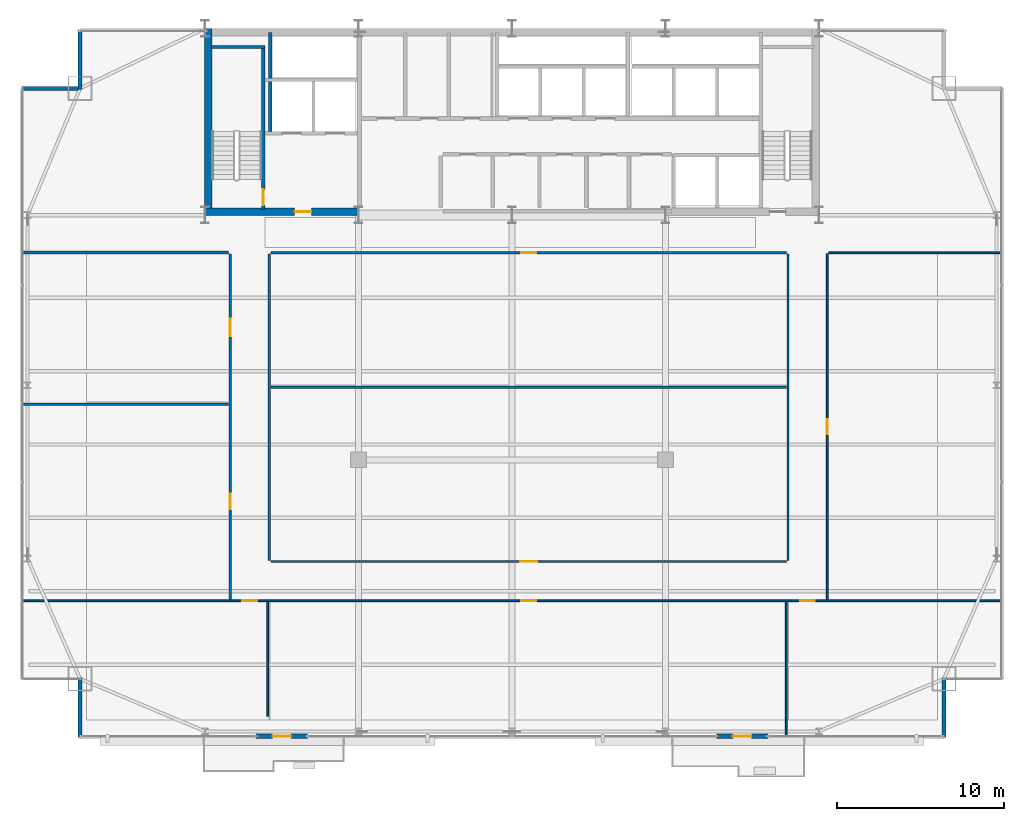
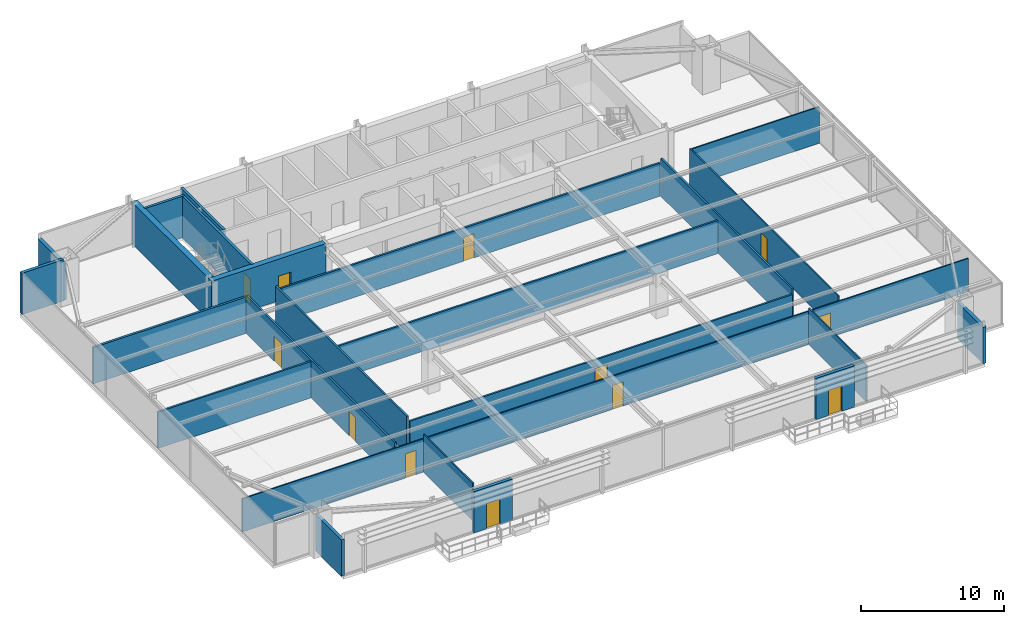
# One storey, part 32 of 36: 24 walls, 12 doors, 12 openings.
"""IFC4 building model written with IfcOpenShell, lengths in metres."""

import ifcopenshell
import ifcopenshell.guid

model = None  # the IFC model being written
_history = None  # IfcOwnerHistory: only IFC2X3 demands one
_inside = {}  # id of a spatial element -> (the spatial element, [elements in it])
_under = {}  # id of a project, library or spatial element -> (it, [spatial elements below it])
_declared = {}  # id of a project -> (the project, [libraries it declares])
_typed = {}  # id of a type object -> (the type object, [elements of that type])
_made_of = {}  # id of a material, layer set ... -> (it, [elements and type objects made of it])


def new_model(schema):
    """Start an empty IFC model of exactly this schema.

    Asked for "IFC4X3", IfcOpenShell would pick the latest addendum, in which some entities
    have other attributes; the version numbers below select the first issue.
    IFC2X3 requires an IfcOwnerHistory on every rooted entity: one is made here for all.
    """
    global model, _history
    if schema == "IFC4X3":
        model = ifcopenshell.file(schema_version=(4, 3, 0, 0))
    else:
        model = ifcopenshell.file(schema=schema)
    _inside.clear()
    _under.clear()
    _declared.clear()
    _typed.clear()
    _made_of.clear()
    _history = None
    if model.schema == "IFC2X3":
        org = make("IfcOrganization", Name="unknown")
        user = make(
            "IfcPersonAndOrganization",
            ThePerson=make("IfcPerson", FamilyName="unknown"),
            TheOrganization=org,
        )
        app = make(
            "IfcApplication",
            ApplicationDeveloper=org,
            Version="unknown",
            ApplicationFullName="unknown",
            ApplicationIdentifier="unknown",
        )
        _history = make(
            "IfcOwnerHistory",
            OwningUser=user,
            OwningApplication=app,
            ChangeAction="ADDED",
            CreationDate=0,
        )
    return model


def make(cls, **values):
    """One entity of the class cls with the attributes given. An attribute that is None is left unset."""
    return model.create_entity(
        cls, **{name: value for name, value in values.items() if value is not None}
    )


def rooted(cls, **values):
    """An entity with a GlobalId (a new one), such as an element, a storey or a relation."""
    return make(cls, GlobalId=ifcopenshell.guid.new(), OwnerHistory=_history, **values)


def si_unit(unit_type, name, prefix=None):
    """IfcSIUnit, for example si_unit("LENGTHUNIT", "METRE", prefix="MILLI")."""
    return make("IfcSIUnit", UnitType=unit_type, Prefix=prefix, Name=name)


def assignment(units):
    """IfcUnitAssignment: the units of a project."""
    return None if units is None else make("IfcUnitAssignment", Units=units)


def point(xyz):
    """IfcCartesianPoint."""
    return None if xyz is None else make("IfcCartesianPoint", Coordinates=xyz)


def direction(xyz):
    """IfcDirection."""
    return None if xyz is None else make("IfcDirection", DirectionRatios=xyz)


def frame(location, z_axis=None, x_axis=None):
    """IfcAxis2Placement3D, a coordinate frame: its origin and axes. An axis left out is left unset."""
    return make(
        "IfcAxis2Placement3D",
        Location=point(location),
        Axis=direction(z_axis),
        RefDirection=direction(x_axis),
    )


def frame_2d(location, x_axis=None):
    """IfcAxis2Placement2D, a coordinate frame in the plane: its origin and x axis."""
    return make(
        "IfcAxis2Placement2D", Location=point(location), RefDirection=direction(x_axis)
    )


def origin():
    """The frame at (0, 0, 0) with its axes left unset."""
    return frame((0.0, 0.0, 0.0))


def place(relative_to, where):
    """IfcLocalPlacement: puts the frame where relative to a parent placement (None: the world)."""
    return make(
        "IfcLocalPlacement", PlacementRelTo=relative_to, RelativePlacement=where
    )


def context(
    kind, dimensions, precision=None, world=None, true_north=None, identifier=None
):
    """IfcGeometricRepresentationContext, for example the 3D "Model" context."""
    return make(
        "IfcGeometricRepresentationContext",
        ContextIdentifier=identifier,
        ContextType=kind,
        CoordinateSpaceDimension=dimensions,
        Precision=precision,
        WorldCoordinateSystem=world,
        TrueNorth=true_north,
    )


def subcontext(parent, identifier, kind, view, scale=None):
    """IfcGeometricRepresentationSubContext, for example "Body" below "Model"."""
    return make(
        "IfcGeometricRepresentationSubContext",
        ContextIdentifier=identifier,
        ContextType=kind,
        ParentContext=parent,
        TargetScale=scale,
        TargetView=view,
    )


def project(units=None, contexts=None):
    """IfcProject with its units and contexts."""
    return rooted(
        "IfcProject",
        Name="project",
        RepresentationContexts=contexts,
        UnitsInContext=assignment(units),
    )


def spatial(cls, under=None, at=None, **own):
    """A site, building, storey or space (cls), placed at a placement, below another one or the project."""
    s = rooted(cls, ObjectPlacement=at, **own)
    if under is not None:
        _under.setdefault(under.id(), (under, []))[1].append(s)
    return s


def profile(cls, at=None, kind="AREA", **sizes):
    """A parametric profile (cls). Its sizes go by their IFC names, for example OverallWidth=200.0."""
    return make(cls, ProfileType=kind, Position=at, **sizes)


def rectangle(**sizes):
    """IfcRectangleProfileDef."""
    return profile("IfcRectangleProfileDef", **sizes)


def extrude(swept, where, along, depth):
    """IfcExtrudedAreaSolid: the profile swept, set in the frame where, extruded along a direction by depth."""
    return make(
        "IfcExtrudedAreaSolid",
        SweptArea=swept,
        Position=where,
        ExtrudedDirection=direction(along),
        Depth=depth,
    )


def shape(context_of_items, identifier, shape_type, items):
    """IfcShapeRepresentation: the items that make up one representation, for example the "Body"."""
    return make(
        "IfcShapeRepresentation",
        ContextOfItems=context_of_items,
        RepresentationIdentifier=identifier,
        RepresentationType=shape_type,
        Items=items,
    )


def source(mapping_origin, context_of_items, identifier, shape_type, items):
    """IfcRepresentationMap: a shape defined once, which mapped items show again and again."""
    return make(
        "IfcRepresentationMap",
        MappingOrigin=mapping_origin,
        MappedRepresentation=shape(context_of_items, identifier, shape_type, items),
    )


def transform(
    local_origin,
    x_axis=None,
    y_axis=None,
    z_axis=None,
    scale=None,
    scale2=None,
    scale3=None,
    uniform=True,
):
    """IfcCartesianTransformationOperator3D, or its non-uniform kind. x_axis, y_axis, z_axis: its Axis1, 2, 3."""
    if uniform:
        return make(
            "IfcCartesianTransformationOperator3D",
            Axis1=direction(x_axis),
            Axis2=direction(y_axis),
            LocalOrigin=point(local_origin),
            Scale=scale,
            Axis3=direction(z_axis),
        )
    return make(
        "IfcCartesianTransformationOperator3DnonUniform",
        Axis1=direction(x_axis),
        Axis2=direction(y_axis),
        LocalOrigin=point(local_origin),
        Scale=scale,
        Axis3=direction(z_axis),
        Scale2=scale2,
        Scale3=scale3,
    )


def mapped(mapping_source, mapping_target):
    """IfcMappedItem: shows the shape of a source again, moved by a transform."""
    return make(
        "IfcMappedItem", MappingSource=mapping_source, MappingTarget=mapping_target
    )


def material(Name=None, Category=None):
    """IfcMaterial."""
    return make("IfcMaterial", Name=Name, Category=Category)


def layer(
    of_material, thickness, ventilated=None, Name=None, Category=None, Priority=None
):
    """IfcMaterialLayer: one layer of a wall or slab, of a material (None: an air gap)."""
    return make(
        "IfcMaterialLayer",
        Material=of_material,
        LayerThickness=thickness,
        IsVentilated=ventilated,
        Name=Name,
        Category=Category,
        Priority=Priority,
    )


def layer_set(layers, Name=None):
    """IfcMaterialLayerSet."""
    return make("IfcMaterialLayerSet", MaterialLayers=layers, LayerSetName=Name)


def made_of(thing, what):
    """Note that an element or type object is made of a material, layer set ...; save() writes the relation."""
    if what is not None:
        _made_of.setdefault(what.id(), (what, []))[1].append(thing)
    return thing


def type_object(cls, material=None, **own):
    """A type object (cls), such as IfcWallType, which elements share."""
    return made_of(rooted(cls, **own), material)


def type_shapes(of_type, sources):
    """Give a type object the sources (RepresentationMaps) that its elements show as mapped items."""
    of_type.RepresentationMaps = sources


def element(
    cls,
    number,
    at=None,
    inside=None,
    cuts=None,
    type_object=None,
    material=None,
    context=None,
    identifier="Body",
    shape_type=None,
    held_by="IfcProductDefinitionShape",
    body=None,
    shapes=None,
    **own,
):
    """One element of the class cls, such as IfcWall. Its Tag is "e" and its number.

    at: its placement. inside: the storey or other place that contains it. cuts: it is an
    opening in that element (IfcRelVoidsElement). A single representation is given by context,
    identifier, shape_type and body (its items); several are given by shapes. held_by: the class
    of the entity that holds the representations. save() writes the other relations.
    """
    e = rooted(cls, Tag="e%d" % number, ObjectPlacement=at, **own)
    if body is not None:
        shapes = [shape(context, identifier, shape_type, body)]
    if shapes is not None:
        e.Representation = make(held_by, Representations=shapes)
    if inside is not None:
        _inside.setdefault(inside.id(), (inside, []))[1].append(e)
    if cuts is not None:
        rooted(
            "IfcRelVoidsElement", RelatingBuildingElement=cuts, RelatedOpeningElement=e
        )
    if type_object is not None:
        _typed.setdefault(type_object.id(), (type_object, []))[1].append(e)
    return made_of(e, material)


def fill(opening, filler):
    """IfcRelFillsElement: the door or window that sits in an opening."""
    return rooted(
        "IfcRelFillsElement",
        RelatingOpeningElement=opening,
        RelatedBuildingElement=filler,
    )


def aggregate(whole, parts):
    """IfcRelAggregates: a whole, such as a stair, and the parts it consists of."""
    return rooted("IfcRelAggregates", RelatingObject=whole, RelatedObjects=parts)


def save(model, path):
    """Write the relations noted so far, then the file.

    IfcRelAggregates (storeys below a building ...), IfcRelContainedInSpatialStructure (elements
    in a storey), IfcRelDefinesByType, IfcRelAssociatesMaterial and IfcRelDeclares: one each for
    every whole, place, type object, material and project.
    """
    for whole, parts in _under.values():
        aggregate(whole, parts)
    for where, things in _inside.values():
        rooted(
            "IfcRelContainedInSpatialStructure",
            RelatedElements=things,
            RelatingStructure=where,
        )
    for kind, things in _typed.values():
        rooted("IfcRelDefinesByType", RelatedObjects=things, RelatingType=kind)
    for what, things in _made_of.values():
        rooted("IfcRelAssociatesMaterial", RelatedObjects=things, RelatingMaterial=what)
    for by, libraries in _declared.values():
        rooted("IfcRelDeclares", RelatingContext=by, RelatedDefinitions=libraries)
    model.write(path)


model = new_model("IFC4")

# Units and contexts
model_context = context("Model", 3, precision=1e-05, world=origin(), true_north=direction((0.0, 1.0)))
body_context = subcontext(model_context, "Body", "Model", "MODEL_VIEW")
ifc_project = project(units=[si_unit("LENGTHUNIT", "METRE"), si_unit("AREAUNIT", "SQUARE_METRE"), si_unit("VOLUMEUNIT", "CUBIC_METRE"), si_unit("PLANEANGLEUNIT", "RADIAN"), si_unit("MASSUNIT", "GRAM", prefix="KILO")], contexts=[model_context])

# Site, building, storey
site_placement = place(None, origin())
site = spatial("IfcSite", under=ifc_project, at=site_placement, CompositionType="ELEMENT")
building_placement = place(site_placement, origin())
building = spatial("IfcBuilding", under=site, at=building_placement, Name="Varnel Quay Broadcast Tower", CompositionType="ELEMENT")
storey_placement = place(building_placement, frame((0.0, 0.0, 114.39990234375)))
storey = spatial("IfcBuildingStorey", under=building, at=storey_placement, Name="L27", CompositionType="ELEMENT", Elevation=114.39990234375)

# Wall, opening, door
ifc_material_1 = material(Name="Concrete CSA A23.3 C50/60", Category="concrete")
ifc_layer_1 = layer(ifc_material_1, 0.199951171875, Name="Concrete CSA A23.3 C50/60")
ifc_layer_set_1 = layer_set([ifc_layer_1], Name="Concrete CSA A23.3 C50/60")
wall_type_1 = type_object("IfcWallType", Name="Wall_CoreShaftShear200", PredefinedType="SHEAR", material=ifc_layer_set_1)
wall_1_placement = place(storey_placement, frame((19.080078125, 35.949951171875, 0.0), z_axis=(0.0, 0.0, 1.0), x_axis=(0.0, 1.0, 0.0)))
wall_1 = element("IfcWall", 1, at=wall_1_placement, inside=storey, type_object=wall_type_1, Name="L27 Stair 1 East Structural Wall", PredefinedType="SHEAR", context=body_context, shape_type="SweptSolid", body=[
    extrude(rectangle(XDim=9.650146484375, YDim=0.199951171875, at=frame_2d((4.8251953125, 0.0))), origin(), (0.0, 0.0, 1.0), 3.550048828125),
])
opening_1_placement = place(wall_1_placement, frame((0.25, 0.0, 0.0)))
opening_1 = element("IfcOpeningElement", 2, at=opening_1_placement, cuts=wall_1, Name="Opening D-L27-S1", PredefinedType="OPENING", context=body_context, shape_type="SweptSolid", body=[
    extrude(rectangle(XDim=0.949951171875, YDim=2.10009765625, at=frame_2d((0.47509765625, 1.050048828125))), frame((0.0, 0.10986328125, 0.0), z_axis=(0.0, -1.0, 0.0), x_axis=(1.0, 0.0, 0.0)), (0.0, 0.0, 1.0), 0.219970703125),
])
ifc_material_2 = material(Name="Insulated Fire-Rated Hollow Steel Door", Category="steel")
door_type_1 = type_object("IfcDoorType", Name="Door_FireStair950", OperationType="NOTDEFINED", PredefinedType="DOOR", material=ifc_material_2)
shared_shape_1 = source(origin(), body_context, "Body", "SweptSolid", [
    extrude(rectangle(XDim=0.949951171875, YDim=2.10009765625, at=frame_2d((0.47509765625, 1.050048828125))), frame((0.0, 0.02490234375, 0.0), z_axis=(0.0, -1.0, 0.0), x_axis=(1.0, 0.0, 0.0)), (0.0, 0.0, 1.0), 0.050048828125),
])
type_shapes(door_type_1, [shared_shape_1])
door_1_placement = place(opening_1_placement, origin())
door_1 = element("IfcDoor", 3, at=door_1_placement, inside=storey, type_object=door_type_1, Name="L27 Stair 1 Fire Door", OperationType="SINGLE_SWING_LEFT", OverallHeight=2.10009765625, OverallWidth=0.949951171875, PredefinedType="DOOR", context=body_context, shape_type="MappedRepresentation", body=[
    mapped(shared_shape_1, transform((0.0, 0.0, 0.0), x_axis=(1.0, 0.0, 0.0), y_axis=(0.0, 1.0, 0.0), z_axis=(0.0, 0.0, 1.0), scale=1.0)),
])
fill(opening_1, door_1)

# Walls
wall_2_placement = place(storey_placement, frame((15.949951171875, 45.679931640625, 0.0), z_axis=(0.0, 0.0, 1.0), x_axis=(1.0, 0.0, 0.0)))
element("IfcWall", 4, at=wall_2_placement, inside=storey, type_object=wall_type_1, Name="L27 Stair 1 North Structural Wall", PredefinedType="SHEAR", context=body_context, shape_type="SweptSolid", body=[
    extrude(rectangle(XDim=3.22998046875, YDim=0.199951171875, at=frame_2d((1.614990234375, 0.0))), origin(), (0.0, 0.0, 1.0), 3.550048828125),
])
wall_3_placement = place(storey_placement, frame((19.5, 40.60009765625, 0.0), z_axis=(0.0, 0.0, 1.0), x_axis=(0.0, 1.0, 0.0)))
element("IfcWall", 5, at=wall_3_placement, inside=storey, type_object=wall_type_1, Name="L27 Firefighter Lift Shaft West Wall", PredefinedType="SHEAR", context=body_context, shape_type="SweptSolid", body=[
    extrude(rectangle(XDim=5.949951171875, YDim=0.199951171875, at=frame_2d((2.97509765625, 0.0))), origin(), (0.0, 0.0, 1.0), 3.550048828125),
])
ifc_material_3 = material(Name="Concrete CSA A23.3 C60/75", Category="concrete")
ifc_layer_2 = layer(ifc_material_3, 0.449951171875, Name="Concrete CSA A23.3 C60/75")
ifc_layer_set_2 = layer_set([ifc_layer_2], Name="Concrete CSA A23.3 C60/75")
wall_type_2 = type_object("IfcWallType", Name="Wall_CoreShearInt450", PredefinedType="SHEAR", material=ifc_layer_set_2)
wall_4_placement = place(storey_placement, frame((15.794921875, 35.570068359375, 0.0), z_axis=(0.0, 0.0, 1.0), x_axis=(0.0, 1.0, 0.0)))
element("IfcWall", 6, at=wall_4_placement, inside=storey, type_object=wall_type_2, Name="L27 West Core Shear Wall", PredefinedType="SHEAR", context=body_context, shape_type="SweptSolid", body=[
    extrude(rectangle(XDim=11.22998046875, YDim=0.449951171875, at=frame_2d((5.614990234375, 0.0))), origin(), (0.0, 0.0, 1.0), 3.550048828125),
])

# Wall, opening, door
wall_5_placement = place(storey_placement, frame((15.570068359375, 35.794921875, 0.0), z_axis=(0.0, 0.0, 1.0), x_axis=(1.0, 0.0, 0.0)))
wall_5 = element("IfcWall", 7, at=wall_5_placement, inside=storey, type_object=wall_type_2, Name="L27 South-West Core Shear Wall", PredefinedType="SHEAR", context=body_context, shape_type="SweptSolid", body=[
    extrude(rectangle(XDim=9.22998046875, YDim=0.449951171875, at=frame_2d((4.614990234375, 0.0))), origin(), (0.0, 0.0, 1.0), 3.550048828125),
])
opening_2_placement = place(wall_5_placement, frame((5.39990234375, 0.0, 0.0)))
opening_2 = element("IfcOpeningElement", 8, at=opening_2_placement, cuts=wall_5, Name="Opening D-L27-FFL", PredefinedType="OPENING", context=body_context, shape_type="SweptSolid", body=[
    extrude(rectangle(XDim=1.0, YDim=2.10009765625, at=frame_2d((0.5, 1.050048828125))), frame((0.0, 0.23486328125, 0.0), z_axis=(0.0, -1.0, 0.0), x_axis=(1.0, 0.0, 0.0)), (0.0, 0.0, 1.0), 0.469970703125),
])
door_type_2 = type_object("IfcDoorType", Name="Door_FireLobby1000", OperationType="NOTDEFINED", PredefinedType="DOOR", material=ifc_material_2)
shared_shape_2 = source(origin(), body_context, "Body", "SweptSolid", [
    extrude(rectangle(XDim=1.0, YDim=2.10009765625, at=frame_2d((0.5, 1.050048828125))), frame((0.0, 0.02490234375, 0.0), z_axis=(0.0, -1.0, 0.0), x_axis=(1.0, 0.0, 0.0)), (0.0, 0.0, 1.0), 0.050048828125),
])
type_shapes(door_type_2, [shared_shape_2])
door_2_placement = place(opening_2_placement, origin())
door_2 = element("IfcDoor", 9, at=door_2_placement, inside=storey, type_object=door_type_2, Name="L27 Firefighting Lobby Door", OperationType="SINGLE_SWING_RIGHT", OverallHeight=2.10009765625, OverallWidth=1.0, PredefinedType="DOOR", context=body_context, shape_type="MappedRepresentation", body=[
    mapped(shared_shape_2, transform((0.0, 0.0, 0.0), x_axis=(1.0, 0.0, 0.0), y_axis=(0.0, 1.0, 0.0), z_axis=(0.0, 0.0, 1.0), scale=1.0)),
])
fill(opening_2, door_2)

ifc_material_4 = material(Name="Precast Architectural Concrete C40/50", Category="concrete")
ifc_layer_3 = layer(ifc_material_4, 0.25, Name="Precast Architectural Concrete C40/50")
ifc_layer_set_3 = layer_set([ifc_layer_3], Name="Precast Architectural Concrete C40/50")
wall_type_3 = type_object("IfcWallType", Name="Wall_ExtTerrace250", PredefinedType="SOLIDWALL", material=ifc_layer_set_3)
wall_6_placement = place(storey_placement, frame((18.64990234375, 4.35009765625, 0.0), z_axis=(0.0, 0.0, 1.0), x_axis=(1.0, 0.0, 0.0)))
wall_6 = element("IfcWall", 10, at=wall_6_placement, inside=storey, type_object=wall_type_3, Name="L27 Terrace Access Wall 1", PredefinedType="SOLIDWALL", context=body_context, shape_type="SweptSolid", body=[
    extrude(rectangle(XDim=3.10009765625, YDim=0.25, at=frame_2d((1.550048828125, 0.0))), origin(), (0.0, 0.0, 1.0), 3.530029296875),
])
opening_3_placement = place(wall_6_placement, frame((1.0, 0.0, 0.0)))
opening_3 = element("IfcOpeningElement", 11, at=opening_3_placement, cuts=wall_6, Name="Opening TD-271", PredefinedType="OPENING", context=body_context, shape_type="SweptSolid", body=[
    extrude(rectangle(XDim=1.10009765625, YDim=2.14990234375, at=frame_2d((0.550048828125, 1.074951171875))), frame((0.0, 0.135009765625, 0.0), z_axis=(0.0, -1.0, 0.0), x_axis=(1.0, 0.0, 0.0)), (0.0, 0.0, 1.0), 0.27001953125),
])
ifc_material_5 = material(Name="Anodised Bronze Aluminium 6063-T6", Category="aluminium")
door_type_3 = type_object("IfcDoorType", Name="Door_ExtTerrace1100", OperationType="NOTDEFINED", PredefinedType="DOOR", material=ifc_material_5)
shared_shape_3 = source(origin(), body_context, "Body", "SweptSolid", [
    extrude(rectangle(XDim=1.10009765625, YDim=2.14990234375, at=frame_2d((0.550048828125, 1.074951171875))), frame((0.0, 0.02490234375, 0.0), z_axis=(0.0, -1.0, 0.0), x_axis=(1.0, 0.0, 0.0)), (0.0, 0.0, 1.0), 0.050048828125),
])
type_shapes(door_type_3, [shared_shape_3])
door_3_placement = place(opening_3_placement, frame((1.10009765625, 0.0, 0.0), z_axis=(0.0, 0.0, 1.0), x_axis=(-1.0, 0.0, 0.0)))
door_3 = element("IfcDoor", 12, at=door_3_placement, inside=storey, type_object=door_type_3, Name="L27 Terrace Door TD-271", OperationType="SINGLE_SWING_LEFT", OverallHeight=2.14990234375, OverallWidth=1.10009765625, PredefinedType="DOOR", context=body_context, shape_type="MappedRepresentation", body=[
    mapped(shared_shape_3, transform((0.0, 0.0, 0.0), x_axis=(1.0, 0.0, 0.0), y_axis=(0.0, 1.0, 0.0), z_axis=(0.0, 0.0, 1.0), scale=1.0)),
])
fill(opening_3, door_3)

wall_7_placement = place(storey_placement, frame((46.25, 4.35009765625, 0.0), z_axis=(0.0, 0.0, 1.0), x_axis=(1.0, 0.0, 0.0)))
wall_7 = element("IfcWall", 13, at=wall_7_placement, inside=storey, type_object=wall_type_3, Name="L27 Terrace Access Wall 2", PredefinedType="SOLIDWALL", context=body_context, shape_type="SweptSolid", body=[
    extrude(rectangle(XDim=3.10009765625, YDim=0.25, at=frame_2d((1.550048828125, 0.0))), origin(), (0.0, 0.0, 1.0), 3.530029296875),
])
opening_4_placement = place(wall_7_placement, frame((1.0, 0.0, 0.0)))
opening_4 = element("IfcOpeningElement", 14, at=opening_4_placement, cuts=wall_7, Name="Opening TD-272", PredefinedType="OPENING", context=body_context, shape_type="SweptSolid", body=[
    extrude(rectangle(XDim=1.10009765625, YDim=2.14990234375, at=frame_2d((0.550048828125, 1.074951171875))), frame((0.0, 0.135009765625, 0.0), z_axis=(0.0, -1.0, 0.0), x_axis=(1.0, 0.0, 0.0)), (0.0, 0.0, 1.0), 0.27001953125),
])
door_4_placement = place(opening_4_placement, frame((1.10009765625, 0.0, 0.0), z_axis=(0.0, 0.0, 1.0), x_axis=(-1.0, 0.0, 0.0)))
door_4 = element("IfcDoor", 15, at=door_4_placement, inside=storey, type_object=door_type_3, Name="L27 Terrace Door TD-272", OperationType="SINGLE_SWING_RIGHT", OverallHeight=2.14990234375, OverallWidth=1.10009765625, PredefinedType="DOOR", context=body_context, shape_type="MappedRepresentation", body=[
    mapped(shared_shape_3, transform((0.0, 0.0, 0.0), x_axis=(1.0, 0.0, 0.0), y_axis=(0.0, 1.0, 0.0), z_axis=(0.0, 0.0, 1.0), scale=1.0)),
])
fill(opening_4, door_4)

# Walls
for number, where, z_axis, x_axis, name in (
    (16, (8.10009765625, 4.280029296875, 0.0), (0.0, 0.0, 1.0), (0.0, 1.0, 0.0), "L27 Mega-Column Notch Cladding Wall NSW2"),
    (17, (59.89990234375, 4.280029296875, 0.0), (0.0, 0.0, 1.0), (0.0, 1.0, 0.0), "L27 Mega-Column Notch Cladding Wall NSE2"),
):
    element("IfcWall", number, at=place(storey_placement, frame(where, z_axis=z_axis, x_axis=x_axis)), inside=storey, type_object=wall_type_3, Name=name, PredefinedType="SOLIDWALL", context=body_context, shape_type="SweptSolid", body=[
        extrude(rectangle(XDim=3.599853515625, YDim=0.25, at=frame_2d((1.7998046875, 0.0))), origin(), (0.0, 0.0, 1.0), 3.108154296875),
    ])
wall_8_placement = place(storey_placement, frame((4.580078125, 43.199951171875, 0.0), z_axis=(0.0, 0.0, 1.0), x_axis=(1.0, 0.0, 0.0)))
element("IfcWall", 18, at=wall_8_placement, inside=storey, type_object=wall_type_3, Name="L27 Mega-Column Notch Cladding Wall NNW1", PredefinedType="SOLIDWALL", context=body_context, shape_type="SweptSolid", body=[
    extrude(rectangle(XDim=3.389892578125, YDim=0.25, at=frame_2d((1.69482421875, 0.0))), origin(), (0.0, 0.0, 1.0), 3.530029296875),
])
wall_9_placement = place(storey_placement, frame((8.10009765625, 43.1201171875, 0.0), z_axis=(0.0, 0.0, 1.0), x_axis=(0.0, 1.0, 0.0)))
element("IfcWall", 19, at=wall_9_placement, inside=storey, type_object=wall_type_3, Name="L27 Mega-Column Notch Cladding Wall NNW2", PredefinedType="SOLIDWALL", context=body_context, shape_type="SweptSolid", body=[
    extrude(rectangle(XDim=3.599853515625, YDim=0.25, at=frame_2d((1.7998046875, 0.0))), origin(), (0.0, 0.0, 1.0), 3.108154296875),
])
ifc_material_6 = material(Name="Steel-Stud Fire-Rated Acoustic Gypsum Partition Assembly", Category="steel")
ifc_layer_4 = layer(ifc_material_6, 0.10498046875, Name="Steel-Stud Fire-Rated Acoustic Gypsum Partition Assembly")
ifc_layer_set_4 = layer_set([ifc_layer_4], Name="Steel-Stud Fire-Rated Acoustic Gypsum Partition Assembly")
wall_type_4 = type_object("IfcWallType", Name="Wall_Partition105", PredefinedType="PARTITIONING", material=ifc_layer_set_4)
wall_10_placement = place(storey_placement, frame((19.35009765625, 5.550048828125, 0.0), z_axis=(0.0, 0.0, 1.0), x_axis=(0.0, 1.0, 0.0)))
element("IfcWall", 20, at=wall_10_placement, inside=storey, type_object=wall_type_4, Name="L27 Media Tape Archive Store 1 Partition 8", PredefinedType="PARTITIONING", context=body_context, shape_type="SweptSolid", body=[
    extrude(rectangle(XDim=6.8779296875, YDim=0.10498046875, at=frame_2d((3.43896484375, 0.0))), origin(), (0.0, 0.0, 1.0), 3.22216796875),
])

# Wall, openings, doors
wall_11_placement = place(storey_placement, frame((4.679931640625, 12.47998046875, 0.0), z_axis=(0.0, 0.0, 1.0), x_axis=(1.0, 0.0, 0.0)))
wall_11 = element("IfcWall", 21, at=wall_11_placement, inside=storey, type_object=wall_type_4, Name="L27 Media Tape Archive Store 1 Partition 9", PredefinedType="PARTITIONING", context=body_context, shape_type="SweptSolid", body=[
    extrude(rectangle(XDim=58.64013671875, YDim=0.10498046875, at=frame_2d((29.320068359375, 0.0))), origin(), (0.0, 0.0, 1.0), 2.830078125),
])
opening_5_placement = place(wall_11_placement, frame((13.155029296875, 0.0, 0.0)))
opening_5 = element("IfcOpeningElement", 22, at=opening_5_placement, cuts=wall_11, Name="Opening D-L27-06", PredefinedType="OPENING", context=body_context, shape_type="SweptSolid", body=[
    extrude(rectangle(XDim=0.8798828125, YDim=2.06005859375, at=frame_2d((0.43994140625, 1.030029296875))), frame((0.0, 0.0625, 0.0), z_axis=(0.0, -1.0, 0.0), x_axis=(1.0, 0.0, 0.0)), (0.0, 0.0, 1.0), 0.125),
])
opening_6_placement = place(wall_11_placement, frame((29.8798828125, 0.0, 0.0)))
opening_6 = element("IfcOpeningElement", 23, at=opening_6_placement, cuts=wall_11, Name="Opening D-L27-07", PredefinedType="OPENING", context=body_context, shape_type="SweptSolid", body=[
    extrude(rectangle(XDim=0.8798828125, YDim=2.06005859375, at=frame_2d((0.43994140625, 1.030029296875))), frame((0.0, 0.0625, 0.0), z_axis=(0.0, -1.0, 0.0), x_axis=(1.0, 0.0, 0.0)), (0.0, 0.0, 1.0), 0.125),
])
opening_7_placement = place(wall_11_placement, frame((46.60498046875, 0.0, 0.0)))
opening_7 = element("IfcOpeningElement", 24, at=opening_7_placement, cuts=wall_11, Name="Opening D-L27-08", PredefinedType="OPENING", context=body_context, shape_type="SweptSolid", body=[
    extrude(rectangle(XDim=0.8798828125, YDim=2.06005859375, at=frame_2d((0.43994140625, 1.030029296875))), frame((0.0, 0.0625, 0.0), z_axis=(0.0, -1.0, 0.0), x_axis=(1.0, 0.0, 0.0)), (0.0, 0.0, 1.0), 0.125),
])
ifc_material_7 = material(Name="Solid-Core Fire-Rated Acoustic Oak Veneer Door", Category="wood")
door_type_4 = type_object("IfcDoorType", Name="Door_Booth880", OperationType="NOTDEFINED", PredefinedType="DOOR", material=ifc_material_7)
shared_shape_4 = source(origin(), body_context, "Body", "SweptSolid", [
    extrude(rectangle(XDim=0.8798828125, YDim=2.06005859375, at=frame_2d((0.43994140625, 1.030029296875))), frame((0.0, 0.02490234375, 0.0), z_axis=(0.0, -1.0, 0.0), x_axis=(1.0, 0.0, 0.0)), (0.0, 0.0, 1.0), 0.050048828125),
])
type_shapes(door_type_4, [shared_shape_4])
door_5_placement = place(opening_5_placement, frame((0.8798828125, 0.0, 0.0), z_axis=(0.0, 0.0, 1.0), x_axis=(-1.0, 0.0, 0.0)))
door_5 = element("IfcDoor", 25, at=door_5_placement, inside=storey, type_object=door_type_4, Name="L27 Media Tape Archive Store 1 Door D-L27-06", OperationType="SINGLE_SWING_RIGHT", OverallHeight=2.06005859375, OverallWidth=0.8798828125, PredefinedType="DOOR", context=body_context, shape_type="MappedRepresentation", body=[
    mapped(shared_shape_4, transform((0.0, 0.0, 0.0), x_axis=(1.0, 0.0, 0.0), y_axis=(0.0, 1.0, 0.0), z_axis=(0.0, 0.0, 1.0), scale=1.0)),
])
fill(opening_5, door_5)
door_6_placement = place(opening_6_placement, frame((0.8798828125, 0.0, 0.0), z_axis=(0.0, 0.0, 1.0), x_axis=(-1.0, 0.0, 0.0)))
door_6 = element("IfcDoor", 26, at=door_6_placement, inside=storey, type_object=door_type_4, Name="L27 Lens & Rigging Store 2 Door D-L27-07", OperationType="SINGLE_SWING_LEFT", OverallHeight=2.06005859375, OverallWidth=0.8798828125, PredefinedType="DOOR", context=body_context, shape_type="MappedRepresentation", body=[
    mapped(shared_shape_4, transform((0.0, 0.0, 0.0), x_axis=(1.0, 0.0, 0.0), y_axis=(0.0, 1.0, 0.0), z_axis=(0.0, 0.0, 1.0), scale=1.0)),
])
fill(opening_6, door_6)
door_7_placement = place(opening_7_placement, frame((0.8798828125, 0.0, 0.0), z_axis=(0.0, 0.0, 1.0), x_axis=(-1.0, 0.0, 0.0)))
door_7 = element("IfcDoor", 27, at=door_7_placement, inside=storey, type_object=door_type_4, Name="L27 Ingest Vault Store 3 Door D-L27-08", OperationType="SINGLE_SWING_RIGHT", OverallHeight=2.06005859375, OverallWidth=0.8798828125, PredefinedType="DOOR", context=body_context, shape_type="MappedRepresentation", body=[
    mapped(shared_shape_4, transform((0.0, 0.0, 0.0), x_axis=(1.0, 0.0, 0.0), y_axis=(0.0, 1.0, 0.0), z_axis=(0.0, 0.0, 1.0), scale=1.0)),
])
fill(opening_7, door_7)

# Walls
wall_12_placement = place(storey_placement, frame((50.449951171875, 4.3798828125, 0.0), z_axis=(0.0, 0.0, 1.0), x_axis=(0.0, 1.0, 0.0)))
element("IfcWall", 28, at=wall_12_placement, inside=storey, type_object=wall_type_4, Name="L27 Lens & Rigging Store 2 Partition 10", PredefinedType="PARTITIONING", context=body_context, shape_type="SweptSolid", body=[
    extrude(rectangle(XDim=8.048095703125, YDim=0.10498046875, at=frame_2d((4.02392578125, 0.0))), origin(), (0.0, 0.0, 1.0), 3.108154296875),
])
wall_13_placement = place(storey_placement, frame((53.0, 33.35009765625, 0.0), z_axis=(0.0, 0.0, 1.0), x_axis=(1.0, 0.0, 0.0)))
element("IfcWall", 29, at=wall_13_placement, inside=storey, type_object=wall_type_4, Name="L27 Media Tape Archive Store 8 Partition 19", PredefinedType="PARTITIONING", context=body_context, shape_type="SweptSolid", body=[
    extrude(rectangle(XDim=10.320068359375, YDim=0.10498046875, at=frame_2d((5.16015625, 0.0))), origin(), (0.0, 0.0, 1.0), 3.108154296875),
])

# Wall, opening, door
wall_14_placement = place(storey_placement, frame((52.89990234375, 12.532958984375, 0.0), z_axis=(0.0, 0.0, 1.0), x_axis=(0.0, 1.0, 0.0)))
wall_14 = element("IfcWall", 30, at=wall_14_placement, inside=storey, type_object=wall_type_4, Name="L27 Media Tape Archive Store 8 Partition 20", PredefinedType="PARTITIONING", context=body_context, shape_type="SweptSolid", body=[
    extrude(rectangle(XDim=20.76416015625, YDim=0.10498046875, at=frame_2d((10.382080078125, 0.0))), origin(), (0.0, 0.0, 1.0), 3.22216796875),
])
opening_8_placement = place(wall_14_placement, frame((9.94189453125, 0.0, 0.0)))
opening_8 = element("IfcOpeningElement", 31, at=opening_8_placement, cuts=wall_14, Name="Opening D-L27-13", PredefinedType="OPENING", context=body_context, shape_type="SweptSolid", body=[
    extrude(rectangle(XDim=0.8798828125, YDim=2.06005859375, at=frame_2d((0.43994140625, 1.030029296875))), frame((0.0, 0.0625, 0.0), z_axis=(0.0, -1.0, 0.0), x_axis=(1.0, 0.0, 0.0)), (0.0, 0.0, 1.0), 0.125),
])
door_8_placement = place(opening_8_placement, frame((0.8798828125, 0.0, 0.0), z_axis=(0.0, 0.0, 1.0), x_axis=(-1.0, 0.0, 0.0)))
door_8 = element("IfcDoor", 32, at=door_8_placement, inside=storey, type_object=door_type_4, Name="L27 Media Tape Archive Store 8 Door D-L27-13", OperationType="SINGLE_SWING_LEFT", OverallHeight=2.06005859375, OverallWidth=0.8798828125, PredefinedType="DOOR", context=body_context, shape_type="MappedRepresentation", body=[
    mapped(shared_shape_4, transform((0.0, 0.0, 0.0), x_axis=(1.0, 0.0, 0.0), y_axis=(0.0, 1.0, 0.0), z_axis=(0.0, 0.0, 1.0), scale=1.0)),
])
fill(opening_8, door_8)

ifc_layer_5 = layer(ifc_material_6, 0.139892578125, Name="Steel-Stud Fire-Rated Acoustic Gypsum Partition Assembly")
ifc_layer_set_5 = layer_set([ifc_layer_5], Name="Steel-Stud Fire-Rated Acoustic Gypsum Partition Assembly")
wall_type_5 = type_object("IfcWallType", Name="Wall_Partition140", PredefinedType="PARTITIONING", material=ifc_layer_set_5)
wall_15_placement = place(storey_placement, frame((19.550048828125, 14.830078125, 0.0), z_axis=(0.0, 0.0, 1.0), x_axis=(1.0, 0.0, 0.0)))
wall_15 = element("IfcWall", 33, at=wall_15_placement, inside=storey, type_object=wall_type_5, Name="L27 Producer Lounge 6 Partition 14", PredefinedType="PARTITIONING", context=body_context, shape_type="SweptSolid", body=[
    extrude(rectangle(XDim=30.89990234375, YDim=0.139892578125, at=frame_2d((15.449951171875, 0.0))), origin(), (0.0, 0.0, 1.0), 2.830078125),
])
opening_9_placement = place(wall_15_placement, frame((14.949951171875, 0.0, 0.0)))
opening_9 = element("IfcOpeningElement", 34, at=opening_9_placement, cuts=wall_15, Name="Opening D-L27-11", PredefinedType="OPENING", context=body_context, shape_type="SweptSolid", body=[
    extrude(rectangle(XDim=1.0, YDim=2.10009765625, at=frame_2d((0.5, 1.050048828125))), frame((0.0, 0.080078125, 0.0), z_axis=(0.0, -1.0, 0.0), x_axis=(1.0, 0.0, 0.0)), (0.0, 0.0, 1.0), 0.159912109375),
])
door_type_5 = type_object("IfcDoorType", Name="Door_Exec1000", OperationType="NOTDEFINED", PredefinedType="DOOR", material=ifc_material_7)
shared_shape_5 = source(origin(), body_context, "Body", "SweptSolid", [
    extrude(rectangle(XDim=1.0, YDim=2.10009765625, at=frame_2d((0.5, 1.050048828125))), frame((0.0, 0.02490234375, 0.0), z_axis=(0.0, -1.0, 0.0), x_axis=(1.0, 0.0, 0.0)), (0.0, 0.0, 1.0), 0.050048828125),
])
type_shapes(door_type_5, [shared_shape_5])
door_9_placement = place(opening_9_placement, origin())
door_9 = element("IfcDoor", 35, at=door_9_placement, inside=storey, type_object=door_type_5, Name="L27 Producer Lounge 6 Door D-L27-11", OperationType="SINGLE_SWING_LEFT", OverallHeight=2.10009765625, OverallWidth=1.0, PredefinedType="DOOR", context=body_context, shape_type="MappedRepresentation", body=[
    mapped(shared_shape_5, transform((0.0, 0.0, 0.0), x_axis=(1.0, 0.0, 0.0), y_axis=(0.0, 1.0, 0.0), z_axis=(0.0, 0.0, 1.0), scale=1.0)),
])
fill(opening_9, door_9)

# Walls
wall_16_placement = place(storey_placement, frame((50.550048828125, 14.89990234375, 0.0), z_axis=(0.0, 0.0, 1.0), x_axis=(0.0, 1.0, 0.0)))
element("IfcWall", 36, at=wall_16_placement, inside=storey, type_object=wall_type_5, Name="L27 Producer Lounge 6 Partition 15", PredefinedType="PARTITIONING", context=body_context, shape_type="SweptSolid", body=[
    extrude(rectangle(XDim=18.375, YDim=0.139892578125, at=frame_2d((9.1875, 0.0))), origin(), (0.0, 0.0, 1.0), 3.22216796875),
])
wall_17_placement = place(storey_placement, frame((19.550048828125, 25.27001953125, 0.0), z_axis=(0.0, 0.0, 1.0), x_axis=(1.0, 0.0, 0.0)))
element("IfcWall", 37, at=wall_17_placement, inside=storey, type_object=wall_type_5, Name="L27 Producer Lounge 6 Partition 16", PredefinedType="PARTITIONING", context=body_context, shape_type="SweptSolid", body=[
    extrude(rectangle(XDim=30.89990234375, YDim=0.139892578125, at=frame_2d((15.449951171875, 0.0))), origin(), (0.0, 0.0, 1.0), 2.830078125),
])
wall_18_placement = place(storey_placement, frame((19.449951171875, 14.89990234375, 0.0), z_axis=(0.0, 0.0, 1.0), x_axis=(0.0, 1.0, 0.0)))
element("IfcWall", 38, at=wall_18_placement, inside=storey, type_object=wall_type_5, Name="L27 Producer Lounge 6 Partition 17", PredefinedType="PARTITIONING", context=body_context, shape_type="SweptSolid", body=[
    extrude(rectangle(XDim=18.375, YDim=0.139892578125, at=frame_2d((9.1875, 0.0))), origin(), (0.0, 0.0, 1.0), 3.22216796875),
])

# Wall, openings, doors
ifc_layer_6 = layer(ifc_material_6, 0.14990234375, Name="Steel-Stud Fire-Rated Acoustic Gypsum Partition Assembly")
ifc_layer_set_6 = layer_set([ifc_layer_6], Name="Steel-Stud Fire-Rated Acoustic Gypsum Partition Assembly")
wall_type_6 = type_object("IfcWallType", Name="Wall_Partition150", PredefinedType="PARTITIONING", material=ifc_layer_set_6)
wall_19_placement = place(storey_placement, frame((17.10009765625, 12.532958984375, 0.0), z_axis=(0.0, 0.0, 1.0), x_axis=(0.0, 1.0, 0.0)))
wall_19 = element("IfcWall", 39, at=wall_19_placement, inside=storey, type_object=wall_type_6, Name="L27 Color Timing Suite 4 Partition 11", PredefinedType="PARTITIONING", context=body_context, shape_type="SweptSolid", body=[
    extrude(rectangle(XDim=20.72998046875, YDim=0.14990234375, at=frame_2d((10.364990234375, 0.0))), origin(), (0.0, 0.0, 1.0), 3.22216796875),
])
opening_10_placement = place(wall_19_placement, frame((5.427001953125, 0.0, 0.0)))
opening_10 = element("IfcOpeningElement", 40, at=opening_10_placement, cuts=wall_19, Name="Opening D-L27-09", PredefinedType="OPENING", context=body_context, shape_type="SweptSolid", body=[
    extrude(rectangle(XDim=0.919921875, YDim=2.080078125, at=frame_2d((0.4599609375, 1.0400390625))), frame((0.0, 0.0849609375, 0.0), z_axis=(0.0, -1.0, 0.0), x_axis=(1.0, 0.0, 0.0)), (0.0, 0.0, 1.0), 0.169921875),
])
opening_11_placement = place(wall_19_placement, frame((15.797119140625, 0.0, 0.0)))
opening_11 = element("IfcOpeningElement", 41, at=opening_11_placement, cuts=wall_19, Name="Opening D-L27-10", PredefinedType="OPENING", context=body_context, shape_type="SweptSolid", body=[
    extrude(rectangle(XDim=1.050048828125, YDim=2.10009765625, at=frame_2d((0.52490234375, 1.050048828125))), frame((0.0, 0.0849609375, 0.0), z_axis=(0.0, -1.0, 0.0), x_axis=(1.0, 0.0, 0.0)), (0.0, 0.0, 1.0), 0.169921875),
])
door_type_6 = type_object("IfcDoorType", Name="Door_Office920", OperationType="NOTDEFINED", PredefinedType="DOOR", material=ifc_material_7)
shared_shape_6 = source(origin(), body_context, "Body", "SweptSolid", [
    extrude(rectangle(XDim=0.919921875, YDim=2.080078125, at=frame_2d((0.4599609375, 1.0400390625))), frame((0.0, 0.02490234375, 0.0), z_axis=(0.0, -1.0, 0.0), x_axis=(1.0, 0.0, 0.0)), (0.0, 0.0, 1.0), 0.050048828125),
])
type_shapes(door_type_6, [shared_shape_6])
door_10_placement = place(opening_10_placement, origin())
door_10 = element("IfcDoor", 42, at=door_10_placement, inside=storey, type_object=door_type_6, Name="L27 Color Timing Suite 4 Door D-L27-09", OperationType="SINGLE_SWING_LEFT", OverallHeight=2.080078125, OverallWidth=0.919921875, PredefinedType="DOOR", context=body_context, shape_type="MappedRepresentation", body=[
    mapped(shared_shape_6, transform((0.0, 0.0, 0.0), x_axis=(1.0, 0.0, 0.0), y_axis=(0.0, 1.0, 0.0), z_axis=(0.0, 0.0, 1.0), scale=1.0)),
])
fill(opening_10, door_10)
door_type_7 = type_object("IfcDoorType", Name="Door_Meeting1050", OperationType="NOTDEFINED", PredefinedType="DOOR", material=ifc_material_7)
shared_shape_7 = source(origin(), body_context, "Body", "SweptSolid", [
    extrude(rectangle(XDim=1.050048828125, YDim=2.10009765625, at=frame_2d((0.52490234375, 1.050048828125))), frame((0.0, 0.02490234375, 0.0), z_axis=(0.0, -1.0, 0.0), x_axis=(1.0, 0.0, 0.0)), (0.0, 0.0, 1.0), 0.050048828125),
])
type_shapes(door_type_7, [shared_shape_7])
door_11_placement = place(opening_11_placement, origin())
door_11 = element("IfcDoor", 43, at=door_11_placement, inside=storey, type_object=door_type_7, Name="L27 Screening Meeting Room 5 Door D-L27-10", OperationType="SINGLE_SWING_RIGHT", OverallHeight=2.10009765625, OverallWidth=1.050048828125, PredefinedType="DOOR", context=body_context, shape_type="MappedRepresentation", body=[
    mapped(shared_shape_7, transform((0.0, 0.0, 0.0), x_axis=(1.0, 0.0, 0.0), y_axis=(0.0, 1.0, 0.0), z_axis=(0.0, 0.0, 1.0), scale=1.0)),
])
fill(opening_11, door_11)

# Wall
wall_20_placement = place(storey_placement, frame((4.679931640625, 24.260009765625, 0.0), z_axis=(0.0, 0.0, 1.0), x_axis=(1.0, 0.0, 0.0)))
element("IfcWall", 44, at=wall_20_placement, inside=storey, type_object=wall_type_6, Name="L27 Color Timing Suite 4 Partition 12", PredefinedType="PARTITIONING", context=body_context, shape_type="SweptSolid", body=[
    extrude(rectangle(XDim=12.320068359375, YDim=0.14990234375, at=frame_2d((6.16015625, 0.0))), origin(), (0.0, 0.0, 1.0), 3.108154296875),
])

# Wall, opening, door
wall_21_placement = place(storey_placement, frame((19.550048828125, 33.35009765625, 0.0), z_axis=(0.0, 0.0, 1.0), x_axis=(1.0, 0.0, 0.0)))
wall_21 = element("IfcWall", 45, at=wall_21_placement, inside=storey, type_object=wall_type_6, Name="L27 Tea Kitchen 7 Partition 18", PredefinedType="PARTITIONING", context=body_context, shape_type="SweptSolid", body=[
    extrude(rectangle(XDim=30.89990234375, YDim=0.14990234375, at=frame_2d((15.449951171875, 0.0))), origin(), (0.0, 0.0, 1.0), 2.830078125),
])
opening_12_placement = place(wall_21_placement, frame((15.010009765625, 0.0, 0.0)))
opening_12 = element("IfcOpeningElement", 46, at=opening_12_placement, cuts=wall_21, Name="Opening D-L27-12", PredefinedType="OPENING", context=body_context, shape_type="SweptSolid", body=[
    extrude(rectangle(XDim=0.8798828125, YDim=2.06005859375, at=frame_2d((0.43994140625, 1.030029296875))), frame((0.0, 0.0849609375, 0.0), z_axis=(0.0, -1.0, 0.0), x_axis=(1.0, 0.0, 0.0)), (0.0, 0.0, 1.0), 0.169921875),
])
door_12_placement = place(opening_12_placement, frame((0.8798828125, 0.0, 0.0), z_axis=(0.0, 0.0, 1.0), x_axis=(-1.0, 0.0, 0.0)))
door_12 = element("IfcDoor", 47, at=door_12_placement, inside=storey, type_object=door_type_4, Name="L27 Tea Kitchen 7 Door D-L27-12", OperationType="SINGLE_SWING_RIGHT", OverallHeight=2.06005859375, OverallWidth=0.8798828125, PredefinedType="DOOR", context=body_context, shape_type="MappedRepresentation", body=[
    mapped(shared_shape_4, transform((0.0, 0.0, 0.0), x_axis=(1.0, 0.0, 0.0), y_axis=(0.0, 1.0, 0.0), z_axis=(0.0, 0.0, 1.0), scale=1.0)),
])
fill(opening_12, door_12)

# Wall
ifc_layer_7 = layer(ifc_material_6, 0.175048828125, Name="Steel-Stud Fire-Rated Acoustic Gypsum Partition Assembly")
ifc_layer_set_7 = layer_set([ifc_layer_7], Name="Steel-Stud Fire-Rated Acoustic Gypsum Partition Assembly")
wall_type_7 = type_object("IfcWallType", Name="Wall_Partition175", PredefinedType="PARTITIONING", material=ifc_layer_set_7)
wall_22_placement = place(storey_placement, frame((4.679931640625, 33.35009765625, 0.0), z_axis=(0.0, 0.0, 1.0), x_axis=(1.0, 0.0, 0.0)))
element("IfcWall", 48, at=wall_22_placement, inside=storey, type_object=wall_type_7, Name="L27 Screening Meeting Room 5 Partition 13", PredefinedType="PARTITIONING", context=body_context, shape_type="SweptSolid", body=[
    extrude(rectangle(XDim=12.320068359375, YDim=0.175048828125, at=frame_2d((6.16015625, 0.0))), origin(), (0.0, 0.0, 1.0), 3.108154296875),
])

save(model, "model.ifc")
